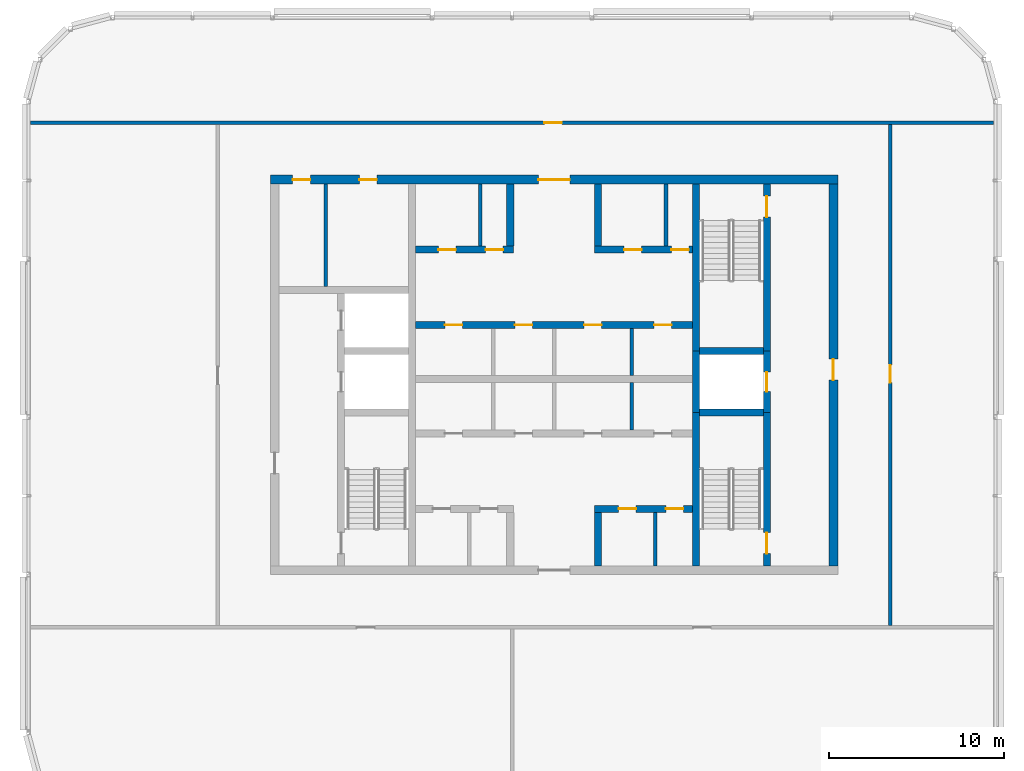
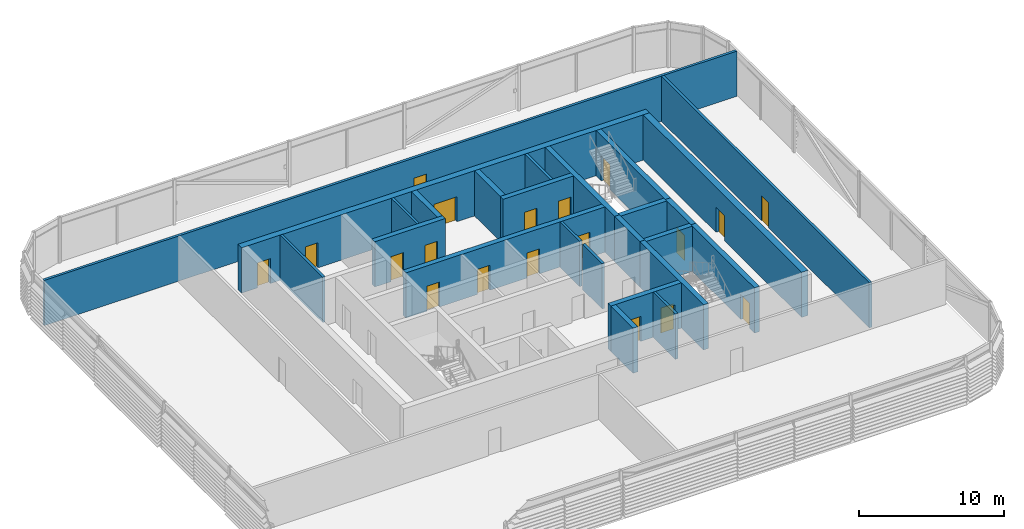
# One storey, part 16 of 28: 25 walls, 19 doors, 19 openings.
"""IFC4 building model written with IfcOpenShell, lengths in metres."""

from ifc_helpers import new_model, si_unit, direction, frame, frame_2d, origin, place, context, subcontext, project, spatial, rectangle, extrude, material, layer, layer_set, type_object, element, fill, save


model = new_model("IFC4")

# Units and contexts
model_context = context("Model", 3, precision=1e-05, world=origin(), true_north=direction((0.0, 1.0)))
body_context = subcontext(model_context, "Body", "Model", "MODEL_VIEW")
ifc_project = project(units=[si_unit("LENGTHUNIT", "METRE"), si_unit("AREAUNIT", "SQUARE_METRE"), si_unit("VOLUMEUNIT", "CUBIC_METRE"), si_unit("PLANEANGLEUNIT", "RADIAN"), si_unit("MASSUNIT", "GRAM", prefix="KILO")], contexts=[model_context])

# Site, building, storey
site_placement = place(None, origin())
site = spatial("IfcSite", under=ifc_project, at=site_placement, CompositionType="ELEMENT")
building_placement = place(site_placement, origin())
building = spatial("IfcBuilding", under=site, at=building_placement, Name="Madar Terraces", CompositionType="ELEMENT")
storey_placement = place(building_placement, frame((0.0, 0.0, 310.10009765625)))
storey = spatial("IfcBuildingStorey", under=building, at=storey_placement, Name="L80", CompositionType="ELEMENT", Elevation=310.10009765625)

# Walls
ifc_material_1 = material(Name="Concrete C50/60", Category="concrete")
ifc_layer_1 = layer(ifc_material_1, 0.39990234375)
ifc_layer_set_1 = layer_set([ifc_layer_1], Name="Concrete C50/60 (CIW6 RC wall 400)")
wall_type_1 = type_object("IfcWallType", Name="CIW6 RC wall 400", PredefinedType="SHEAR", material=ifc_layer_set_1)
wall_1_placement = place(storey_placement, frame((39.300048828125, 15.5, 0.0), z_axis=(0.0, 0.0, 1.0), x_axis=(0.0, 1.0, 0.0)))
element("IfcWall", 1, at=wall_1_placement, inside=storey, type_object=wall_type_1, Name="CORE SHAFT WALL", PredefinedType="SHEAR", context=body_context, shape_type="SweptSolid", body=[
    extrude(rectangle(XDim=8.75, YDim=0.39990234375, at=frame_2d((4.375, 0.0))), origin(), (0.0, 0.0, 1.0), 3.7998046875),
])
wall_2_placement = place(storey_placement, frame((39.300048828125, 24.25, 0.0), z_axis=(0.0, 0.0, 1.0), x_axis=(0.0, 1.0, 0.0)))
element("IfcWall", 2, at=wall_2_placement, inside=storey, type_object=wall_type_1, Name="CORE SHAFT WALL", PredefinedType="SHEAR", context=body_context, shape_type="SweptSolid", body=[
    extrude(rectangle(XDim=3.5, YDim=0.39990234375, at=frame_2d((1.75, 0.0))), origin(), (0.0, 0.0, 1.0), 3.7998046875),
])
wall_3_placement = place(storey_placement, frame((39.300048828125, 27.75, 0.0), z_axis=(0.0, 0.0, 1.0), x_axis=(0.0, 1.0, 0.0)))
element("IfcWall", 3, at=wall_3_placement, inside=storey, type_object=wall_type_1, Name="CORE SHAFT WALL", PredefinedType="SHEAR", context=body_context, shape_type="SweptSolid", body=[
    extrude(rectangle(XDim=9.550048828125, YDim=0.39990234375, at=frame_2d((4.77490234375, 0.0))), origin(), (0.0, 0.0, 1.0), 3.7998046875),
])

# Wall, opening, door
wall_4_placement = place(storey_placement, frame((43.35009765625, 15.5, 0.0), z_axis=(0.0, 0.0, 1.0), x_axis=(0.0, 1.0, 0.0)))
wall_4 = element("IfcWall", 4, at=wall_4_placement, inside=storey, type_object=wall_type_1, Name="CORE SHAFT WALL", PredefinedType="SHEAR", context=body_context, shape_type="SweptSolid", body=[
    extrude(rectangle(XDim=8.75, YDim=0.39990234375, at=frame_2d((4.375, 0.0))), origin(), (0.0, 0.0, 1.0), 3.7998046875),
])
opening_1_placement = place(wall_4_placement, frame((0.699951171875, 0.0, 0.0)))
opening_1 = element("IfcOpeningElement", 5, at=opening_1_placement, cuts=wall_4, Name="Opening SD1", PredefinedType="OPENING", context=body_context, shape_type="SweptSolid", body=[
    extrude(rectangle(XDim=1.199951171875, YDim=2.10009765625, at=frame_2d((0.60009765625, 1.050048828125))), frame((0.0, 0.2099609375, 0.0), z_axis=(0.0, -1.0, 0.0), x_axis=(1.0, 0.0, 0.0)), (0.0, 0.0, 1.0), 0.419921875),
])
ifc_material_2 = material(Name="Steel door leaf", Category="steel")
door_type_1 = type_object("IfcDoorType", Name="Stair door 1200 x 2100", OperationType="NOTDEFINED", PredefinedType="DOOR", material=ifc_material_2)
door_1_placement = place(opening_1_placement, origin())
door_1 = element("IfcDoor", 6, at=door_1_placement, inside=storey, type_object=door_type_1, Name="STAIR DOOR", OperationType="SINGLE_SWING_LEFT", OverallHeight=2.10009765625, OverallWidth=1.199951171875, PredefinedType="DOOR", context=body_context, shape_type="SweptSolid", body=[
    extrude(rectangle(XDim=1.199951171875, YDim=2.10009765625, at=frame_2d((0.60009765625, 1.050048828125))), frame((0.0, 0.02490234375, 0.0), z_axis=(0.0, -1.0, 0.0), x_axis=(1.0, 0.0, 0.0)), (0.0, 0.0, 1.0), 0.050048828125),
])
fill(opening_1, door_1)

wall_5_placement = place(storey_placement, frame((43.35009765625, 24.25, 0.0), z_axis=(0.0, 0.0, 1.0), x_axis=(0.0, 1.0, 0.0)))
wall_5 = element("IfcWall", 7, at=wall_5_placement, inside=storey, type_object=wall_type_1, Name="CORE SHAFT WALL", PredefinedType="SHEAR", context=body_context, shape_type="SweptSolid", body=[
    extrude(rectangle(XDim=3.5, YDim=0.39990234375, at=frame_2d((1.75, 0.0))), origin(), (0.0, 0.0, 1.0), 3.7998046875),
])
opening_2_placement = place(wall_5_placement, frame((1.199951171875, 0.0, 0.0)))
opening_2 = element("IfcOpeningElement", 8, at=opening_2_placement, cuts=wall_5, Name="Opening LD", PredefinedType="OPENING", context=body_context, shape_type="SweptSolid", body=[
    extrude(rectangle(XDim=1.10009765625, YDim=2.10009765625, at=frame_2d((0.550048828125, 1.050048828125))), frame((0.0, 0.2099609375, 0.0), z_axis=(0.0, -1.0, 0.0), x_axis=(1.0, 0.0, 0.0)), (0.0, 0.0, 1.0), 0.419921875),
])
ifc_material_3 = material(Name="Stainless steel panel", Category="steel")
door_type_2 = type_object("IfcDoorType", Name="Lift landing door 1100 x 2100", OperationType="DOUBLE_DOOR_SLIDING", PredefinedType="DOOR", material=ifc_material_3)
door_2_placement = place(opening_2_placement, origin())
door_2 = element("IfcDoor", 9, at=door_2_placement, inside=storey, type_object=door_type_2, Name="LIFT LANDING DOOR", OperationType="DOUBLE_DOOR_SLIDING", OverallHeight=2.10009765625, OverallWidth=1.10009765625, PredefinedType="DOOR", context=body_context, shape_type="SweptSolid", body=[
    extrude(rectangle(XDim=1.10009765625, YDim=2.10009765625, at=frame_2d((0.550048828125, 1.050048828125))), frame((0.0, 0.02490234375, 0.0), z_axis=(0.0, -1.0, 0.0), x_axis=(1.0, 0.0, 0.0)), (0.0, 0.0, 1.0), 0.050048828125),
])
fill(opening_2, door_2)

wall_6_placement = place(storey_placement, frame((43.35009765625, 27.75, 0.0), z_axis=(0.0, 0.0, 1.0), x_axis=(0.0, 1.0, 0.0)))
wall_6 = element("IfcWall", 10, at=wall_6_placement, inside=storey, type_object=wall_type_1, Name="CORE SHAFT WALL", PredefinedType="SHEAR", context=body_context, shape_type="SweptSolid", body=[
    extrude(rectangle(XDim=9.550048828125, YDim=0.39990234375, at=frame_2d((4.77490234375, 0.0))), origin(), (0.0, 0.0, 1.0), 3.7998046875),
])
opening_3_placement = place(wall_6_placement, frame((7.64990234375, 0.0, 0.0)))
opening_3 = element("IfcOpeningElement", 11, at=opening_3_placement, cuts=wall_6, Name="Opening SD1", PredefinedType="OPENING", context=body_context, shape_type="SweptSolid", body=[
    extrude(rectangle(XDim=1.199951171875, YDim=2.10009765625, at=frame_2d((0.60009765625, 1.050048828125))), frame((0.0, 0.2099609375, 0.0), z_axis=(0.0, -1.0, 0.0), x_axis=(1.0, 0.0, 0.0)), (0.0, 0.0, 1.0), 0.419921875),
])
door_3_placement = place(opening_3_placement, origin())
door_3 = element("IfcDoor", 12, at=door_3_placement, inside=storey, type_object=door_type_1, Name="STAIR DOOR", OperationType="SINGLE_SWING_RIGHT", OverallHeight=2.10009765625, OverallWidth=1.199951171875, PredefinedType="DOOR", context=body_context, shape_type="SweptSolid", body=[
    extrude(rectangle(XDim=1.199951171875, YDim=2.10009765625, at=frame_2d((0.60009765625, 1.050048828125))), frame((0.0, 0.02490234375, 0.0), z_axis=(0.0, -1.0, 0.0), x_axis=(1.0, 0.0, 0.0)), (0.0, 0.0, 1.0), 0.050048828125),
])
fill(opening_3, door_3)

# Walls
for number, where, z_axis, x_axis, name in (
    (13, (39.5, 24.25, 0.0), (0.0, 0.0, 1.0), (1.0, 0.0, 0.0), "CORE SHAFT WALL"),
    (14, (39.5, 27.75, 0.0), (0.0, 0.0, 1.0), (1.0, 0.0, 0.0), "CORE SHAFT WALL"),
):
    element("IfcWall", number, at=place(storey_placement, frame(where, z_axis=z_axis, x_axis=x_axis)), inside=storey, type_object=wall_type_1, Name=name, PredefinedType="SHEAR", context=body_context, shape_type="SweptSolid", body=[
        extrude(rectangle(XDim=3.64990234375, YDim=0.39990234375, at=frame_2d((1.824951171875, 0.0))), origin(), (0.0, 0.0, 1.0), 3.7998046875),
    ])

# Wall, openings, doors
wall_7_placement = place(storey_placement, frame((33.5, 18.75, 0.0), z_axis=(0.0, 0.0, 1.0), x_axis=(1.0, 0.0, 0.0)))
wall_7 = element("IfcWall", 15, at=wall_7_placement, inside=storey, type_object=wall_type_1, Name="CORE SHAFT WALL", PredefinedType="SHEAR", context=body_context, shape_type="SweptSolid", body=[
    extrude(rectangle(XDim=5.60009765625, YDim=0.39990234375, at=frame_2d((2.800048828125, 0.0))), origin(), (0.0, 0.0, 1.0), 3.7998046875),
])
opening_4_placement = place(wall_7_placement, frame((1.384033203125, 0.0, 0.0)))
opening_4 = element("IfcOpeningElement", 16, at=opening_4_placement, cuts=wall_7, Name="Opening KD2", PredefinedType="OPENING", context=body_context, shape_type="SweptSolid", body=[
    extrude(rectangle(XDim=1.0, YDim=2.10009765625, at=frame_2d((0.5, 1.050048828125))), frame((0.0, 0.2099609375, 0.0), z_axis=(0.0, -1.0, 0.0), x_axis=(1.0, 0.0, 0.0)), (0.0, 0.0, 1.0), 0.419921875),
])
opening_5_placement = place(wall_7_placement, frame((4.083984375, 0.0, 0.0)))
opening_5 = element("IfcOpeningElement", 17, at=opening_5_placement, cuts=wall_7, Name="Opening KD2", PredefinedType="OPENING", context=body_context, shape_type="SweptSolid", body=[
    extrude(rectangle(XDim=1.0, YDim=2.10009765625, at=frame_2d((0.5, 1.050048828125))), frame((0.0, 0.2099609375, 0.0), z_axis=(0.0, -1.0, 0.0), x_axis=(1.0, 0.0, 0.0)), (0.0, 0.0, 1.0), 0.419921875),
])
ifc_material_4 = material(Name="Steel door leaf", Category="steel")
door_type_3 = type_object("IfcDoorType", Name="Service room door 1000 x 2100", OperationType="NOTDEFINED", PredefinedType="DOOR", material=ifc_material_4)
door_4_placement = place(opening_4_placement, origin())
door_4 = element("IfcDoor", 18, at=door_4_placement, inside=storey, type_object=door_type_3, Name="SERVICE ROOM DOOR", OperationType="SINGLE_SWING_LEFT", OverallHeight=2.10009765625, OverallWidth=1.0, PredefinedType="DOOR", context=body_context, shape_type="SweptSolid", body=[
    extrude(rectangle(XDim=1.0, YDim=2.10009765625, at=frame_2d((0.5, 1.050048828125))), frame((0.0, 0.02490234375, 0.0), z_axis=(0.0, -1.0, 0.0), x_axis=(1.0, 0.0, 0.0)), (0.0, 0.0, 1.0), 0.050048828125),
])
fill(opening_4, door_4)
door_5_placement = place(opening_5_placement, origin())
door_5 = element("IfcDoor", 19, at=door_5_placement, inside=storey, type_object=door_type_3, Name="SERVICE ROOM DOOR", OperationType="SINGLE_SWING_RIGHT", OverallHeight=2.10009765625, OverallWidth=1.0, PredefinedType="DOOR", context=body_context, shape_type="SweptSolid", body=[
    extrude(rectangle(XDim=1.0, YDim=2.10009765625, at=frame_2d((0.5, 1.050048828125))), frame((0.0, 0.02490234375, 0.0), z_axis=(0.0, -1.0, 0.0), x_axis=(1.0, 0.0, 0.0)), (0.0, 0.0, 1.0), 0.050048828125),
])
fill(opening_5, door_5)

wall_8_placement = place(storey_placement, frame((23.300048828125, 29.25, 0.0), z_axis=(0.0, 0.0, 1.0), x_axis=(1.0, 0.0, 0.0)))
wall_8 = element("IfcWall", 20, at=wall_8_placement, inside=storey, type_object=wall_type_1, Name="CORE SHAFT WALL", PredefinedType="SHEAR", context=body_context, shape_type="SweptSolid", body=[
    extrude(rectangle(XDim=15.800048828125, YDim=0.39990234375, at=frame_2d((7.89990234375, 0.0))), origin(), (0.0, 0.0, 1.0), 3.7998046875),
])
opening_6_placement = place(wall_8_placement, frame((1.662109375, 0.0, 0.0)))
opening_6 = element("IfcOpeningElement", 21, at=opening_6_placement, cuts=wall_8, Name="Opening KD2", PredefinedType="OPENING", context=body_context, shape_type="SweptSolid", body=[
    extrude(rectangle(XDim=1.0, YDim=2.10009765625, at=frame_2d((0.5, 1.050048828125))), frame((0.0, 0.2099609375, 0.0), z_axis=(0.0, -1.0, 0.0), x_axis=(1.0, 0.0, 0.0)), (0.0, 0.0, 1.0), 0.419921875),
])
opening_7_placement = place(wall_8_placement, frame((5.662109375, 0.0, 0.0)))
opening_7 = element("IfcOpeningElement", 22, at=opening_7_placement, cuts=wall_8, Name="Opening KD2", PredefinedType="OPENING", context=body_context, shape_type="SweptSolid", body=[
    extrude(rectangle(XDim=1.0, YDim=2.10009765625, at=frame_2d((0.5, 1.050048828125))), frame((0.0, 0.2099609375, 0.0), z_axis=(0.0, -1.0, 0.0), x_axis=(1.0, 0.0, 0.0)), (0.0, 0.0, 1.0), 0.419921875),
])
opening_8_placement = place(wall_8_placement, frame((9.612060546875, 0.0, 0.0)))
opening_8 = element("IfcOpeningElement", 23, at=opening_8_placement, cuts=wall_8, Name="Opening KD2", PredefinedType="OPENING", context=body_context, shape_type="SweptSolid", body=[
    extrude(rectangle(XDim=1.0, YDim=2.10009765625, at=frame_2d((0.5, 1.050048828125))), frame((0.0, 0.2099609375, 0.0), z_axis=(0.0, -1.0, 0.0), x_axis=(1.0, 0.0, 0.0)), (0.0, 0.0, 1.0), 0.419921875),
])
opening_9_placement = place(wall_8_placement, frame((13.612060546875, 0.0, 0.0)))
opening_9 = element("IfcOpeningElement", 24, at=opening_9_placement, cuts=wall_8, Name="Opening KD2", PredefinedType="OPENING", context=body_context, shape_type="SweptSolid", body=[
    extrude(rectangle(XDim=1.0, YDim=2.10009765625, at=frame_2d((0.5, 1.050048828125))), frame((0.0, 0.2099609375, 0.0), z_axis=(0.0, -1.0, 0.0), x_axis=(1.0, 0.0, 0.0)), (0.0, 0.0, 1.0), 0.419921875),
])
door_6_placement = place(opening_6_placement, origin())
door_6 = element("IfcDoor", 25, at=door_6_placement, inside=storey, type_object=door_type_3, Name="SERVICE ROOM DOOR", OperationType="SINGLE_SWING_LEFT", OverallHeight=2.10009765625, OverallWidth=1.0, PredefinedType="DOOR", context=body_context, shape_type="SweptSolid", body=[
    extrude(rectangle(XDim=1.0, YDim=2.10009765625, at=frame_2d((0.5, 1.050048828125))), frame((0.0, 0.02490234375, 0.0), z_axis=(0.0, -1.0, 0.0), x_axis=(1.0, 0.0, 0.0)), (0.0, 0.0, 1.0), 0.050048828125),
])
fill(opening_6, door_6)
door_7_placement = place(opening_7_placement, origin())
door_7 = element("IfcDoor", 26, at=door_7_placement, inside=storey, type_object=door_type_3, Name="SERVICE ROOM DOOR", OperationType="SINGLE_SWING_RIGHT", OverallHeight=2.10009765625, OverallWidth=1.0, PredefinedType="DOOR", context=body_context, shape_type="SweptSolid", body=[
    extrude(rectangle(XDim=1.0, YDim=2.10009765625, at=frame_2d((0.5, 1.050048828125))), frame((0.0, 0.02490234375, 0.0), z_axis=(0.0, -1.0, 0.0), x_axis=(1.0, 0.0, 0.0)), (0.0, 0.0, 1.0), 0.050048828125),
])
fill(opening_7, door_7)
door_8_placement = place(opening_8_placement, origin())
door_8 = element("IfcDoor", 27, at=door_8_placement, inside=storey, type_object=door_type_3, Name="SERVICE ROOM DOOR", OperationType="SINGLE_SWING_LEFT", OverallHeight=2.10009765625, OverallWidth=1.0, PredefinedType="DOOR", context=body_context, shape_type="SweptSolid", body=[
    extrude(rectangle(XDim=1.0, YDim=2.10009765625, at=frame_2d((0.5, 1.050048828125))), frame((0.0, 0.02490234375, 0.0), z_axis=(0.0, -1.0, 0.0), x_axis=(1.0, 0.0, 0.0)), (0.0, 0.0, 1.0), 0.050048828125),
])
fill(opening_8, door_8)
door_9_placement = place(opening_9_placement, origin())
door_9 = element("IfcDoor", 28, at=door_9_placement, inside=storey, type_object=door_type_3, Name="SERVICE ROOM DOOR", OperationType="SINGLE_SWING_RIGHT", OverallHeight=2.10009765625, OverallWidth=1.0, PredefinedType="DOOR", context=body_context, shape_type="SweptSolid", body=[
    extrude(rectangle(XDim=1.0, YDim=2.10009765625, at=frame_2d((0.5, 1.050048828125))), frame((0.0, 0.02490234375, 0.0), z_axis=(0.0, -1.0, 0.0), x_axis=(1.0, 0.0, 0.0)), (0.0, 0.0, 1.0), 0.050048828125),
])
fill(opening_9, door_9)

wall_9_placement = place(storey_placement, frame((23.300048828125, 33.550048828125, 0.0), z_axis=(0.0, 0.0, 1.0), x_axis=(1.0, 0.0, 0.0)))
wall_9 = element("IfcWall", 29, at=wall_9_placement, inside=storey, type_object=wall_type_1, Name="CORE SHAFT WALL", PredefinedType="SHEAR", context=body_context, shape_type="SweptSolid", body=[
    extrude(rectangle(XDim=5.599853515625, YDim=0.39990234375, at=frame_2d((2.7998046875, 0.0))), origin(), (0.0, 0.0, 1.0), 3.7998046875),
])
opening_10_placement = place(wall_9_placement, frame((1.2958984375, 0.0, 0.0)))
opening_10 = element("IfcOpeningElement", 30, at=opening_10_placement, cuts=wall_9, Name="Opening KD2", PredefinedType="OPENING", context=body_context, shape_type="SweptSolid", body=[
    extrude(rectangle(XDim=1.0, YDim=2.10009765625, at=frame_2d((0.5, 1.050048828125))), frame((0.0, 0.2099609375, 0.0), z_axis=(0.0, -1.0, 0.0), x_axis=(1.0, 0.0, 0.0)), (0.0, 0.0, 1.0), 0.419921875),
])
opening_11_placement = place(wall_9_placement, frame((3.99609375, 0.0, 0.0)))
opening_11 = element("IfcOpeningElement", 31, at=opening_11_placement, cuts=wall_9, Name="Opening KD2", PredefinedType="OPENING", context=body_context, shape_type="SweptSolid", body=[
    extrude(rectangle(XDim=1.0, YDim=2.10009765625, at=frame_2d((0.5, 1.050048828125))), frame((0.0, 0.2099609375, 0.0), z_axis=(0.0, -1.0, 0.0), x_axis=(1.0, 0.0, 0.0)), (0.0, 0.0, 1.0), 0.419921875),
])
door_10_placement = place(opening_10_placement, frame((1.0, 0.0, 0.0), z_axis=(0.0, 0.0, 1.0), x_axis=(-1.0, 0.0, 0.0)))
door_10 = element("IfcDoor", 32, at=door_10_placement, inside=storey, type_object=door_type_3, Name="SERVICE ROOM DOOR", OperationType="SINGLE_SWING_LEFT", OverallHeight=2.10009765625, OverallWidth=1.0, PredefinedType="DOOR", context=body_context, shape_type="SweptSolid", body=[
    extrude(rectangle(XDim=1.0, YDim=2.10009765625, at=frame_2d((0.5, 1.050048828125))), frame((0.0, 0.02490234375, 0.0), z_axis=(0.0, -1.0, 0.0), x_axis=(1.0, 0.0, 0.0)), (0.0, 0.0, 1.0), 0.050048828125),
])
fill(opening_10, door_10)
door_11_placement = place(opening_11_placement, frame((1.0, 0.0, 0.0), z_axis=(0.0, 0.0, 1.0), x_axis=(-1.0, 0.0, 0.0)))
door_11 = element("IfcDoor", 33, at=door_11_placement, inside=storey, type_object=door_type_3, Name="SERVICE ROOM DOOR", OperationType="SINGLE_SWING_RIGHT", OverallHeight=2.10009765625, OverallWidth=1.0, PredefinedType="DOOR", context=body_context, shape_type="SweptSolid", body=[
    extrude(rectangle(XDim=1.0, YDim=2.10009765625, at=frame_2d((0.5, 1.050048828125))), frame((0.0, 0.02490234375, 0.0), z_axis=(0.0, -1.0, 0.0), x_axis=(1.0, 0.0, 0.0)), (0.0, 0.0, 1.0), 0.050048828125),
])
fill(opening_11, door_11)

wall_10_placement = place(storey_placement, frame((33.5, 33.550048828125, 0.0), z_axis=(0.0, 0.0, 1.0), x_axis=(1.0, 0.0, 0.0)))
wall_10 = element("IfcWall", 34, at=wall_10_placement, inside=storey, type_object=wall_type_1, Name="CORE SHAFT WALL", PredefinedType="SHEAR", context=body_context, shape_type="SweptSolid", body=[
    extrude(rectangle(XDim=5.60009765625, YDim=0.39990234375, at=frame_2d((2.800048828125, 0.0))), origin(), (0.0, 0.0, 1.0), 3.7998046875),
])
opening_12_placement = place(wall_10_placement, frame((1.696044921875, 0.0, 0.0)))
opening_12 = element("IfcOpeningElement", 35, at=opening_12_placement, cuts=wall_10, Name="Opening KD2", PredefinedType="OPENING", context=body_context, shape_type="SweptSolid", body=[
    extrude(rectangle(XDim=1.0, YDim=2.10009765625, at=frame_2d((0.5, 1.050048828125))), frame((0.0, 0.2099609375, 0.0), z_axis=(0.0, -1.0, 0.0), x_axis=(1.0, 0.0, 0.0)), (0.0, 0.0, 1.0), 0.419921875),
])
opening_13_placement = place(wall_10_placement, frame((4.39599609375, 0.0, 0.0)))
opening_13 = element("IfcOpeningElement", 36, at=opening_13_placement, cuts=wall_10, Name="Opening KD2", PredefinedType="OPENING", context=body_context, shape_type="SweptSolid", body=[
    extrude(rectangle(XDim=1.0, YDim=2.10009765625, at=frame_2d((0.5, 1.050048828125))), frame((0.0, 0.2099609375, 0.0), z_axis=(0.0, -1.0, 0.0), x_axis=(1.0, 0.0, 0.0)), (0.0, 0.0, 1.0), 0.419921875),
])
door_12_placement = place(opening_12_placement, frame((1.0, 0.0, 0.0), z_axis=(0.0, 0.0, 1.0), x_axis=(-1.0, 0.0, 0.0)))
door_12 = element("IfcDoor", 37, at=door_12_placement, inside=storey, type_object=door_type_3, Name="SERVICE ROOM DOOR", OperationType="SINGLE_SWING_LEFT", OverallHeight=2.10009765625, OverallWidth=1.0, PredefinedType="DOOR", context=body_context, shape_type="SweptSolid", body=[
    extrude(rectangle(XDim=1.0, YDim=2.10009765625, at=frame_2d((0.5, 1.050048828125))), frame((0.0, 0.02490234375, 0.0), z_axis=(0.0, -1.0, 0.0), x_axis=(1.0, 0.0, 0.0)), (0.0, 0.0, 1.0), 0.050048828125),
])
fill(opening_12, door_12)
door_13_placement = place(opening_13_placement, frame((1.0, 0.0, 0.0), z_axis=(0.0, 0.0, 1.0), x_axis=(-1.0, 0.0, 0.0)))
door_13 = element("IfcDoor", 38, at=door_13_placement, inside=storey, type_object=door_type_3, Name="SERVICE ROOM DOOR", OperationType="SINGLE_SWING_RIGHT", OverallHeight=2.10009765625, OverallWidth=1.0, PredefinedType="DOOR", context=body_context, shape_type="SweptSolid", body=[
    extrude(rectangle(XDim=1.0, YDim=2.10009765625, at=frame_2d((0.5, 1.050048828125))), frame((0.0, 0.02490234375, 0.0), z_axis=(0.0, -1.0, 0.0), x_axis=(1.0, 0.0, 0.0)), (0.0, 0.0, 1.0), 0.050048828125),
])
fill(opening_13, door_13)

# Walls
wall_11_placement = place(storey_placement, frame((33.699951171875, 15.5, 0.0), z_axis=(0.0, 0.0, 1.0), x_axis=(0.0, 1.0, 0.0)))
element("IfcWall", 39, at=wall_11_placement, inside=storey, type_object=wall_type_1, Name="CORE SHAFT WALL", PredefinedType="SHEAR", context=body_context, shape_type="SweptSolid", body=[
    extrude(rectangle(XDim=3.050048828125, YDim=0.39990234375, at=frame_2d((1.52490234375, 0.0))), origin(), (0.0, 0.0, 1.0), 3.7998046875),
])
for number, where, z_axis, x_axis, name in (
    (40, (28.699951171875, 33.75, 0.0), (0.0, 0.0, 1.0), (0.0, 1.0, 0.0), "CORE SHAFT WALL"),
    (41, (33.699951171875, 33.75, 0.0), (0.0, 0.0, 1.0), (0.0, 1.0, 0.0), "CORE SHAFT WALL"),
):
    element("IfcWall", number, at=place(storey_placement, frame(where, z_axis=z_axis, x_axis=x_axis)), inside=storey, type_object=wall_type_1, Name=name, PredefinedType="SHEAR", context=body_context, shape_type="SweptSolid", body=[
        extrude(rectangle(XDim=3.550048828125, YDim=0.39990234375, at=frame_2d((1.77490234375, 0.0))), origin(), (0.0, 0.0, 1.0), 3.7998046875),
    ])

# Wall, openings, doors
ifc_material_5 = material(Name="Concrete C50/60", Category="concrete")
ifc_layer_2 = layer(ifc_material_5, 0.5)
ifc_layer_set_2 = layer_set([ifc_layer_2], Name="Concrete C50/60 (CRW6 RC wall 500)")
wall_type_2 = type_object("IfcWallType", Name="CRW6 RC wall 500", PredefinedType="SHEAR", material=ifc_layer_set_2)
wall_12_placement = place(storey_placement, frame((15.0, 37.550048828125, 0.0), z_axis=(0.0, 0.0, 1.0), x_axis=(1.0, 0.0, 0.0)))
wall_12 = element("IfcWall", 42, at=wall_12_placement, inside=storey, type_object=wall_type_2, Name="CORE OUTER WALL", PredefinedType="SHEAR", context=body_context, shape_type="SweptSolid", body=[
    extrude(rectangle(XDim=32.39990234375, YDim=0.5, at=frame_2d((16.199951171875, 0.0))), origin(), (0.0, 0.0, 1.0), 3.7998046875),
])
opening_14_placement = place(wall_12_placement, frame((15.300048828125, 0.0, 0.0)))
opening_14 = element("IfcOpeningElement", 43, at=opening_14_placement, cuts=wall_12, Name="Opening KD1", PredefinedType="OPENING", context=body_context, shape_type="SweptSolid", body=[
    extrude(rectangle(XDim=1.800048828125, YDim=2.10009765625, at=frame_2d((0.89990234375, 1.050048828125))), frame((0.0, 0.260009765625, 0.0), z_axis=(0.0, -1.0, 0.0), x_axis=(1.0, 0.0, 0.0)), (0.0, 0.0, 1.0), 0.52001953125),
])
opening_15_placement = place(wall_12_placement, frame((1.281982421875, 0.0, 0.0)))
opening_15 = element("IfcOpeningElement", 44, at=opening_15_placement, cuts=wall_12, Name="Opening KD2", PredefinedType="OPENING", context=body_context, shape_type="SweptSolid", body=[
    extrude(rectangle(XDim=1.0, YDim=2.10009765625, at=frame_2d((0.5, 1.050048828125))), frame((0.0, 0.260009765625, 0.0), z_axis=(0.0, -1.0, 0.0), x_axis=(1.0, 0.0, 0.0)), (0.0, 0.0, 1.0), 0.52001953125),
])
opening_16_placement = place(wall_12_placement, frame((5.08203125, 0.0, 0.0)))
opening_16 = element("IfcOpeningElement", 45, at=opening_16_placement, cuts=wall_12, Name="Opening KD2", PredefinedType="OPENING", context=body_context, shape_type="SweptSolid", body=[
    extrude(rectangle(XDim=1.0, YDim=2.10009765625, at=frame_2d((0.5, 1.050048828125))), frame((0.0, 0.260009765625, 0.0), z_axis=(0.0, -1.0, 0.0), x_axis=(1.0, 0.0, 0.0)), (0.0, 0.0, 1.0), 0.52001953125),
])
ifc_material_6 = material(Name="Steel door leaf", Category="steel")
door_type_4 = type_object("IfcDoorType", Name="Lobby door pair 1800 x 2100", OperationType="DOUBLE_DOOR_SINGLE_SWING", PredefinedType="DOOR", material=ifc_material_6)
door_14_placement = place(opening_14_placement, origin())
door_14 = element("IfcDoor", 46, at=door_14_placement, inside=storey, type_object=door_type_4, Name="LIFT LOBBY DOOR", OperationType="DOUBLE_DOOR_SINGLE_SWING", OverallHeight=2.10009765625, OverallWidth=1.800048828125, PredefinedType="DOOR", context=body_context, shape_type="SweptSolid", body=[
    extrude(rectangle(XDim=1.800048828125, YDim=2.10009765625, at=frame_2d((0.89990234375, 1.050048828125))), frame((0.0, 0.02490234375, 0.0), z_axis=(0.0, -1.0, 0.0), x_axis=(1.0, 0.0, 0.0)), (0.0, 0.0, 1.0), 0.050048828125),
])
fill(opening_14, door_14)
door_15_placement = place(opening_15_placement, origin())
door_15 = element("IfcDoor", 47, at=door_15_placement, inside=storey, type_object=door_type_3, Name="SERVICE ROOM DOOR", OperationType="SINGLE_SWING_LEFT", OverallHeight=2.10009765625, OverallWidth=1.0, PredefinedType="DOOR", context=body_context, shape_type="SweptSolid", body=[
    extrude(rectangle(XDim=1.0, YDim=2.10009765625, at=frame_2d((0.5, 1.050048828125))), frame((0.0, 0.02490234375, 0.0), z_axis=(0.0, -1.0, 0.0), x_axis=(1.0, 0.0, 0.0)), (0.0, 0.0, 1.0), 0.050048828125),
])
fill(opening_15, door_15)
door_16_placement = place(opening_16_placement, origin())
door_16 = element("IfcDoor", 48, at=door_16_placement, inside=storey, type_object=door_type_3, Name="SERVICE ROOM DOOR", OperationType="SINGLE_SWING_RIGHT", OverallHeight=2.10009765625, OverallWidth=1.0, PredefinedType="DOOR", context=body_context, shape_type="SweptSolid", body=[
    extrude(rectangle(XDim=1.0, YDim=2.10009765625, at=frame_2d((0.5, 1.050048828125))), frame((0.0, 0.02490234375, 0.0), z_axis=(0.0, -1.0, 0.0), x_axis=(1.0, 0.0, 0.0)), (0.0, 0.0, 1.0), 0.050048828125),
])
fill(opening_16, door_16)

# Wall, opening, door
wall_13_placement = place(storey_placement, frame((47.14990234375, 15.5, 0.0), z_axis=(0.0, 0.0, 1.0), x_axis=(0.0, 1.0, 0.0)))
wall_13 = element("IfcWall", 49, at=wall_13_placement, inside=storey, type_object=wall_type_2, Name="CORE OUTER WALL", PredefinedType="SHEAR", context=body_context, shape_type="SweptSolid", body=[
    extrude(rectangle(XDim=21.800048828125, YDim=0.5, at=frame_2d((10.89990234375, 0.0))), origin(), (0.0, 0.0, 1.0), 3.7998046875),
])
opening_17_placement = place(wall_13_placement, frame((10.60009765625, 0.0, 0.0)))
opening_17 = element("IfcOpeningElement", 50, at=opening_17_placement, cuts=wall_13, Name="Opening SD1", PredefinedType="OPENING", context=body_context, shape_type="SweptSolid", body=[
    extrude(rectangle(XDim=1.199951171875, YDim=2.10009765625, at=frame_2d((0.60009765625, 1.050048828125))), frame((0.0, 0.260009765625, 0.0), z_axis=(0.0, -1.0, 0.0), x_axis=(1.0, 0.0, 0.0)), (0.0, 0.0, 1.0), 0.52001953125),
])
door_17_placement = place(opening_17_placement, origin())
door_17 = element("IfcDoor", 51, at=door_17_placement, inside=storey, type_object=door_type_1, Name="STAIR DOOR", OperationType="SINGLE_SWING_RIGHT", OverallHeight=2.10009765625, OverallWidth=1.199951171875, PredefinedType="DOOR", context=body_context, shape_type="SweptSolid", body=[
    extrude(rectangle(XDim=1.199951171875, YDim=2.10009765625, at=frame_2d((0.60009765625, 1.050048828125))), frame((0.0, 0.02490234375, 0.0), z_axis=(0.0, -1.0, 0.0), x_axis=(1.0, 0.0, 0.0)), (0.0, 0.0, 1.0), 0.050048828125),
])
fill(opening_17, door_17)

# Walls
ifc_material_7 = material(Name="Masonry blockwork", Category="masonry")
ifc_layer_3 = layer(ifc_material_7, 0.199951171875)
ifc_layer_set_3 = layer_set([ifc_layer_3], Name="Core partition 200 blockwork")
wall_type_3 = type_object("IfcWallType", Name="Core partition 200 blockwork", PredefinedType="PARTITIONING", material=ifc_layer_set_3)
wall_14_placement = place(storey_placement, frame((18.1640625, 31.449951171875, 0.0), z_axis=(0.0, 0.0, 1.0), x_axis=(0.0, 1.0, 0.0)))
element("IfcWall", 52, at=wall_14_placement, inside=storey, type_object=wall_type_3, Name="SERVICE ROOM PARTITION", PredefinedType="PARTITIONING", context=body_context, shape_type="SweptSolid", body=[
    extrude(rectangle(XDim=5.85009765625, YDim=0.199951171875, at=frame_2d((2.925048828125, 0.0))), origin(), (0.0, 0.0, 1.0), 3.7998046875),
])
for number, where, z_axis, x_axis, name in (
    (53, (35.6240234375, 23.25, 0.0), (0.0, 0.0, 1.0), (0.0, 1.0, 0.0), "SERVICE ROOM PARTITION"),
    (54, (35.6240234375, 26.35009765625, 0.0), (0.0, 0.0, 1.0), (0.0, 1.0, 0.0), "SERVICE ROOM PARTITION"),
):
    element("IfcWall", number, at=place(storey_placement, frame(where, z_axis=z_axis, x_axis=x_axis)), inside=storey, type_object=wall_type_3, Name=name, PredefinedType="PARTITIONING", context=body_context, shape_type="SweptSolid", body=[
        extrude(rectangle(XDim=2.699951171875, YDim=0.199951171875, at=frame_2d((1.35009765625, 0.0))), origin(), (0.0, 0.0, 1.0), 3.7998046875),
    ])
wall_15_placement = place(storey_placement, frame((36.968017578125, 15.5, 0.0), z_axis=(0.0, 0.0, 1.0), x_axis=(0.0, 1.0, 0.0)))
element("IfcWall", 55, at=wall_15_placement, inside=storey, type_object=wall_type_3, Name="SERVICE ROOM PARTITION", PredefinedType="PARTITIONING", context=body_context, shape_type="SweptSolid", body=[
    extrude(rectangle(XDim=3.050048828125, YDim=0.199951171875, at=frame_2d((1.52490234375, 0.0))), origin(), (0.0, 0.0, 1.0), 3.7998046875),
])
for number, where, z_axis, x_axis, name in (
    (56, (26.991943359375, 33.75, 0.0), (0.0, 0.0, 1.0), (0.0, 1.0, 0.0), "SERVICE ROOM PARTITION"),
    (57, (37.592041015625, 33.75, 0.0), (0.0, 0.0, 1.0), (0.0, 1.0, 0.0), "SERVICE ROOM PARTITION"),
):
    element("IfcWall", number, at=place(storey_placement, frame(where, z_axis=z_axis, x_axis=x_axis)), inside=storey, type_object=wall_type_3, Name=name, PredefinedType="PARTITIONING", context=body_context, shape_type="SweptSolid", body=[
        extrude(rectangle(XDim=3.550048828125, YDim=0.199951171875, at=frame_2d((1.77490234375, 0.0))), origin(), (0.0, 0.0, 1.0), 3.7998046875),
    ])

# Wall, opening, door
ifc_material_8 = material(Name="Blockwork", Category="masonry")
ifc_layer_4 = layer(ifc_material_8, 0.199951171875)
ifc_layer_set_4 = layer_set([ifc_layer_4], Name="Partition 200 EI 120")
wall_type_4 = type_object("IfcWallType", Name="Partition 200 EI 120", PredefinedType="PARTITIONING", material=ifc_layer_set_4)
wall_16_placement = place(storey_placement, frame((1.300048828125, 40.800048828125, 0.0), z_axis=(0.0, 0.0, 1.0), x_axis=(1.0, 0.0, 0.0)))
wall_16 = element("IfcWall", 58, at=wall_16_placement, inside=storey, type_object=wall_type_4, Name="Wall WATER TANK ROOM", PredefinedType="PARTITIONING", context=body_context, shape_type="SweptSolid", body=[
    extrude(rectangle(XDim=55.0, YDim=0.199951171875, at=frame_2d((27.5, 0.0))), origin(), (0.0, 0.0, 1.0), 3.7998046875),
])
opening_18_placement = place(wall_16_placement, frame((29.35009765625, 0.0, 0.0)))
opening_18 = element("IfcOpeningElement", 59, at=opening_18_placement, cuts=wall_16, Name="Opening D33", PredefinedType="OPENING", context=body_context, shape_type="SweptSolid", body=[
    extrude(rectangle(XDim=1.0, YDim=2.10009765625, at=frame_2d((0.5, 1.050048828125))), frame((0.0, 0.10986328125, 0.0), z_axis=(0.0, -1.0, 0.0), x_axis=(1.0, 0.0, 0.0)), (0.0, 0.0, 1.0), 0.219970703125),
])
ifc_material_9 = material(Name="Timber door leaf, fire-rated", Category="wood")
door_type_5 = type_object("IfcDoorType", Name="Podium door 1000 x 2100 FD90S", OperationType="NOTDEFINED", PredefinedType="DOOR", material=ifc_material_9)
door_18_placement = place(opening_18_placement, origin())
door_18 = element("IfcDoor", 60, at=door_18_placement, inside=storey, type_object=door_type_5, Name="Door WATER TANK ROOM / RING CORRIDOR", OperationType="SINGLE_SWING_LEFT", OverallHeight=2.10009765625, OverallWidth=1.0, PredefinedType="DOOR", context=body_context, shape_type="SweptSolid", body=[
    extrude(rectangle(XDim=1.0, YDim=2.10009765625, at=frame_2d((0.5, 1.050048828125))), frame((0.0, 0.02490234375, 0.0), z_axis=(0.0, -1.0, 0.0), x_axis=(1.0, 0.0, 0.0)), (0.0, 0.0, 1.0), 0.050048828125),
])
fill(opening_18, door_18)

wall_17_placement = place(storey_placement, frame((50.39990234375, 40.699951171875, 0.0), z_axis=(0.0, 0.0, 1.0), x_axis=(0.0, -1.0, 0.0)))
wall_17 = element("IfcWall", 61, at=wall_17_placement, inside=storey, type_object=wall_type_4, Name="Wall AIR HANDLING PLANT ROOM / RING CORRIDOR", PredefinedType="PARTITIONING", context=body_context, shape_type="SweptSolid", body=[
    extrude(rectangle(XDim=28.599853515625, YDim=0.199951171875, at=frame_2d((14.2998046875, 0.0))), origin(), (0.0, 0.0, 1.0), 3.7998046875),
])
opening_19_placement = place(wall_17_placement, frame((13.75, 0.0, 0.0)))
opening_19 = element("IfcOpeningElement", 62, at=opening_19_placement, cuts=wall_17, Name="Opening D33", PredefinedType="OPENING", context=body_context, shape_type="SweptSolid", body=[
    extrude(rectangle(XDim=1.0, YDim=2.10009765625, at=frame_2d((0.5, 1.050048828125))), frame((0.0, 0.10986328125, 0.0), z_axis=(0.0, -1.0, 0.0), x_axis=(1.0, 0.0, 0.0)), (0.0, 0.0, 1.0), 0.219970703125),
])
door_19_placement = place(opening_19_placement, origin())
door_19 = element("IfcDoor", 63, at=door_19_placement, inside=storey, type_object=door_type_5, Name="Door AIR HANDLING PLANT ROOM / RING CORRIDOR", OperationType="SINGLE_SWING_LEFT", OverallHeight=2.10009765625, OverallWidth=1.0, PredefinedType="DOOR", context=body_context, shape_type="SweptSolid", body=[
    extrude(rectangle(XDim=1.0, YDim=2.10009765625, at=frame_2d((0.5, 1.050048828125))), frame((0.0, 0.02490234375, 0.0), z_axis=(0.0, -1.0, 0.0), x_axis=(1.0, 0.0, 0.0)), (0.0, 0.0, 1.0), 0.050048828125),
])
fill(opening_19, door_19)

save(model, "model.ifc")
